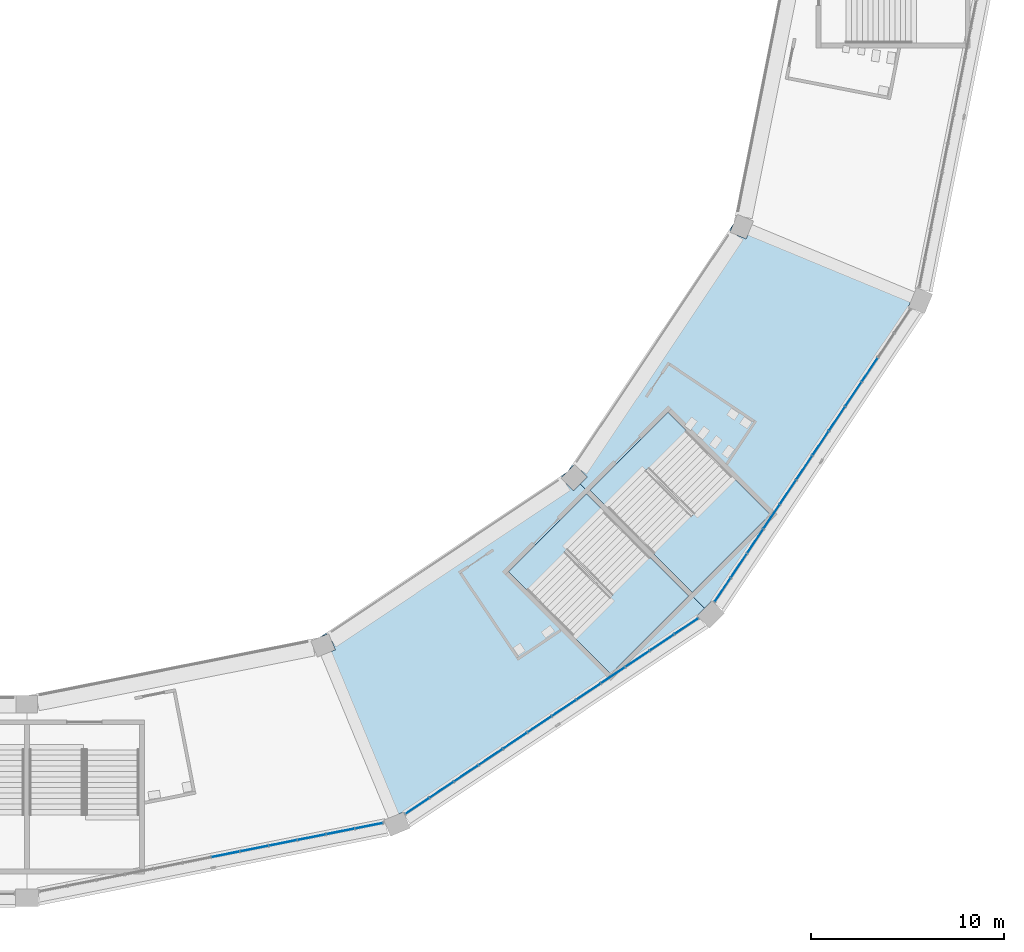
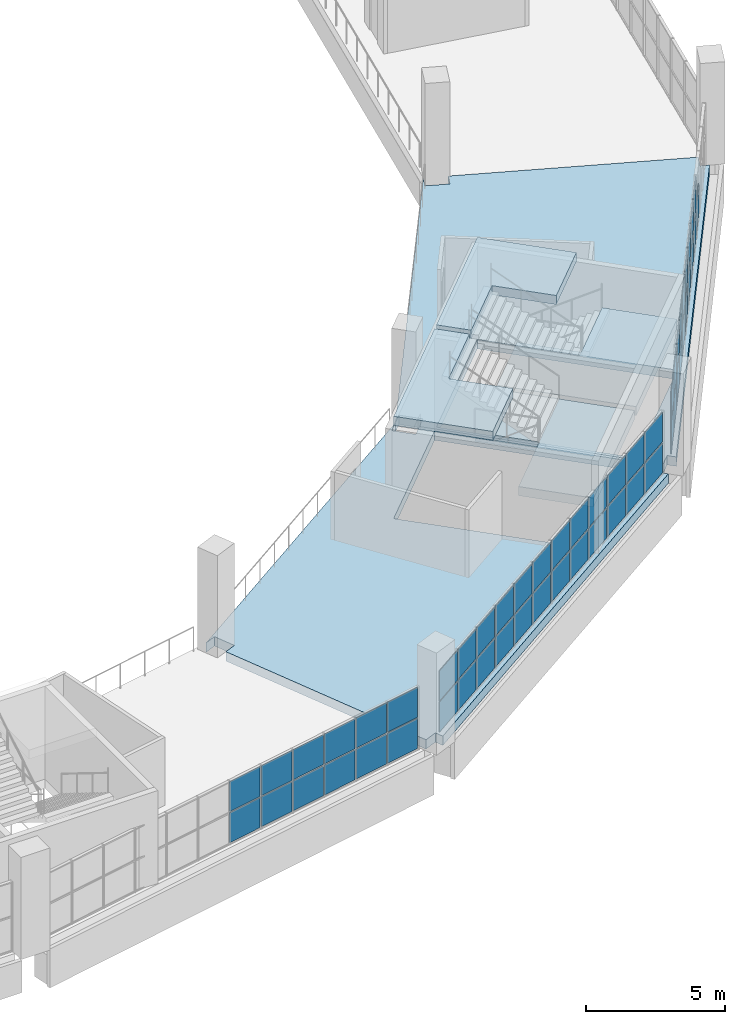
# One storey, part 49 of 177: 55 plates, 6 slabs, 5 elements without a shape of their own.
"""IFC4 building model written with IfcOpenShell, lengths in metres."""

from ifc_helpers import new_model, si_unit, direction, frame, origin, origin_2d, place, context, subcontext, project, spatial, polyline, rectangle, outline, extrude, material, layer, layer_set, type_object, element, aggregate, save


model = new_model("IFC4")

# Units and contexts
model_context = context("Model", 3, precision=1e-05, world=origin(), true_north=direction((0.0, 1.0)))
body_context = subcontext(model_context, "Body", "Model", "MODEL_VIEW")
ifc_project = project(units=[si_unit("LENGTHUNIT", "METRE"), si_unit("AREAUNIT", "SQUARE_METRE"), si_unit("VOLUMEUNIT", "CUBIC_METRE"), si_unit("PLANEANGLEUNIT", "RADIAN"), si_unit("MASSUNIT", "GRAM", prefix="KILO")], contexts=[model_context])

# Site, building, storey
site_placement = place(None, origin())
site = spatial("IfcSite", under=ifc_project, at=site_placement, CompositionType="ELEMENT")
building_placement = place(site_placement, origin())
building = spatial("IfcBuilding", under=site, at=building_placement, Name="Ogive Plaza Stadium", CompositionType="ELEMENT")
storey_placement = place(building_placement, frame((0.0, 0.0, 18.0)))
storey = spatial("IfcBuildingStorey", under=building, at=storey_placement, Name="L04", CompositionType="ELEMENT", Elevation=18.0)

# Curtain wall, plates
ifc_material_1 = material(Name="Bronze-anodised aluminium with laminated glass", Category="aluminium")
curtain_wall_type = type_object("IfcCurtainWallType", Name="Lancet curtain wall", PredefinedType="NOTDEFINED", material=ifc_material_1)
curtain_wall_1_placement = place(storey_placement, origin())
curtain_wall_1 = element("IfcCurtainWall", 1, at=curtain_wall_1_placement, inside=storey, type_object=curtain_wall_type, Name="CURTAIN WALL B09 L04", PredefinedType="NOTDEFINED")
ifc_material_2 = material(Name="Laminated glass", Category="glass")
ifc_layer_1 = layer(ifc_material_2, 0.028076171875)
ifc_layer_set_1 = layer_set([ifc_layer_1], Name="Laminated glass panel 28")
plate_type = type_object("IfcPlateType", Name="Laminated glass panel 28", PredefinedType="CURTAIN_PANEL", material=ifc_layer_set_1)
plate_1_placement = place(storey_placement, frame((77.568603515625, -75.203369140625, 0.0498046875), z_axis=(0.0, 0.0, 1.0), x_axis=(-0.55557023302, -0.831469612303, 0.0)))
plate_1 = element("IfcPlate", 2, at=plate_1_placement, type_object=plate_type, Name="CW-B09-L04 panel 3.1", PredefinedType="CURTAIN_PANEL", context=body_context, shape_type="SweptSolid", body=[
    extrude(rectangle(XDim=1.472412109375, YDim=0.028076171875, at=origin_2d()), origin(), (0.0, 0.0, 1.0), 1.320068359375),
])
plate_2_placement = place(storey_placement, frame((76.722900390625, -76.46923828125, 0.0498046875), z_axis=(0.0, 0.0, 1.0), x_axis=(-0.55557023302, -0.831469612303, 0.0)))
plate_2 = element("IfcPlate", 3, at=plate_2_placement, type_object=plate_type, Name="CW-B09-L04 panel 4.1", PredefinedType="CURTAIN_PANEL", context=body_context, shape_type="SweptSolid", body=[
    extrude(rectangle(XDim=1.472412109375, YDim=0.028076171875, at=origin_2d()), origin(), (0.0, 0.0, 1.0), 1.320068359375),
])
plate_3_placement = place(storey_placement, frame((76.722900390625, -76.46923828125, 1.419921875), z_axis=(0.0, 0.0, 1.0), x_axis=(-0.55557023302, -0.831469612303, 0.0)))
plate_3 = element("IfcPlate", 4, at=plate_3_placement, type_object=plate_type, Name="CW-B09-L04 panel 4.2", PredefinedType="CURTAIN_PANEL", context=body_context, shape_type="SweptSolid", body=[
    extrude(rectangle(XDim=1.472412109375, YDim=0.028076171875, at=origin_2d()), origin(), (0.0, 0.0, 1.0), 1.320068359375),
])
plate_4_placement = place(storey_placement, frame((75.876953125, -77.73486328125, 0.0498046875), z_axis=(0.0, 0.0, 1.0), x_axis=(-0.55557023302, -0.831469612303, 0.0)))
plate_4 = element("IfcPlate", 5, at=plate_4_placement, type_object=plate_type, Name="CW-B09-L04 panel 5.1", PredefinedType="CURTAIN_PANEL", context=body_context, shape_type="SweptSolid", body=[
    extrude(rectangle(XDim=1.472412109375, YDim=0.028076171875, at=origin_2d()), origin(), (0.0, 0.0, 1.0), 1.320068359375),
])
plate_5_placement = place(storey_placement, frame((75.876953125, -77.73486328125, 1.419921875), z_axis=(0.0, 0.0, 1.0), x_axis=(-0.55557023302, -0.831469612303, 0.0)))
plate_5 = element("IfcPlate", 6, at=plate_5_placement, type_object=plate_type, Name="CW-B09-L04 panel 5.2", PredefinedType="CURTAIN_PANEL", context=body_context, shape_type="SweptSolid", body=[
    extrude(rectangle(XDim=1.472412109375, YDim=0.028076171875, at=origin_2d()), origin(), (0.0, 0.0, 1.0), 1.320068359375),
])
plate_6_placement = place(storey_placement, frame((75.03125, -79.000732421875, 0.0498046875), z_axis=(0.0, 0.0, 1.0), x_axis=(-0.55557023302, -0.831469612303, 0.0)))
plate_6 = element("IfcPlate", 7, at=plate_6_placement, type_object=plate_type, Name="CW-B09-L04 panel 6.1", PredefinedType="CURTAIN_PANEL", context=body_context, shape_type="SweptSolid", body=[
    extrude(rectangle(XDim=1.472412109375, YDim=0.028076171875, at=origin_2d()), origin(), (0.0, 0.0, 1.0), 1.320068359375),
])
plate_7_placement = place(storey_placement, frame((75.03125, -79.000732421875, 1.419921875), z_axis=(0.0, 0.0, 1.0), x_axis=(-0.55557023302, -0.831469612303, 0.0)))
plate_7 = element("IfcPlate", 8, at=plate_7_placement, type_object=plate_type, Name="CW-B09-L04 panel 6.2", PredefinedType="CURTAIN_PANEL", context=body_context, shape_type="SweptSolid", body=[
    extrude(rectangle(XDim=1.472412109375, YDim=0.028076171875, at=origin_2d()), origin(), (0.0, 0.0, 1.0), 1.320068359375),
])
plate_8_placement = place(storey_placement, frame((74.185546875, -80.2666015625, 0.0498046875), z_axis=(0.0, 0.0, 1.0), x_axis=(-0.55557023302, -0.831469612303, 0.0)))
plate_8 = element("IfcPlate", 9, at=plate_8_placement, type_object=plate_type, Name="CW-B09-L04 panel 7.1", PredefinedType="CURTAIN_PANEL", context=body_context, shape_type="SweptSolid", body=[
    extrude(rectangle(XDim=1.472412109375, YDim=0.028076171875, at=origin_2d()), origin(), (0.0, 0.0, 1.0), 1.320068359375),
])
plate_9_placement = place(storey_placement, frame((74.185546875, -80.2666015625, 1.419921875), z_axis=(0.0, 0.0, 1.0), x_axis=(-0.55557023302, -0.831469612303, 0.0)))
plate_9 = element("IfcPlate", 10, at=plate_9_placement, type_object=plate_type, Name="CW-B09-L04 panel 7.2", PredefinedType="CURTAIN_PANEL", context=body_context, shape_type="SweptSolid", body=[
    extrude(rectangle(XDim=1.472412109375, YDim=0.028076171875, at=origin_2d()), origin(), (0.0, 0.0, 1.0), 1.320068359375),
])
plate_10_placement = place(storey_placement, frame((73.339599609375, -81.5322265625, 0.0498046875), z_axis=(0.0, 0.0, 1.0), x_axis=(-0.55557023302, -0.831469612303, 0.0)))
plate_10 = element("IfcPlate", 11, at=plate_10_placement, type_object=plate_type, Name="CW-B09-L04 panel 8.1", PredefinedType="CURTAIN_PANEL", context=body_context, shape_type="SweptSolid", body=[
    extrude(rectangle(XDim=1.472412109375, YDim=0.028076171875, at=origin_2d()), origin(), (0.0, 0.0, 1.0), 1.320068359375),
])
plate_11_placement = place(storey_placement, frame((73.339599609375, -81.5322265625, 1.419921875), z_axis=(0.0, 0.0, 1.0), x_axis=(-0.55557023302, -0.831469612303, 0.0)))
plate_11 = element("IfcPlate", 12, at=plate_11_placement, type_object=plate_type, Name="CW-B09-L04 panel 8.2", PredefinedType="CURTAIN_PANEL", context=body_context, shape_type="SweptSolid", body=[
    extrude(rectangle(XDim=1.472412109375, YDim=0.028076171875, at=origin_2d()), origin(), (0.0, 0.0, 1.0), 1.320068359375),
])
plate_12_placement = place(storey_placement, frame((72.493896484375, -82.798095703125, 0.0498046875), z_axis=(0.0, 0.0, 1.0), x_axis=(-0.55557023302, -0.831469612303, 0.0)))
plate_12 = element("IfcPlate", 13, at=plate_12_placement, type_object=plate_type, Name="CW-B09-L04 panel 9.1", PredefinedType="CURTAIN_PANEL", context=body_context, shape_type="SweptSolid", body=[
    extrude(rectangle(XDim=1.472412109375, YDim=0.028076171875, at=origin_2d()), origin(), (0.0, 0.0, 1.0), 1.320068359375),
])
plate_13_placement = place(storey_placement, frame((72.493896484375, -82.798095703125, 1.419921875), z_axis=(0.0, 0.0, 1.0), x_axis=(-0.55557023302, -0.831469612303, 0.0)))
plate_13 = element("IfcPlate", 14, at=plate_13_placement, type_object=plate_type, Name="CW-B09-L04 panel 9.2", PredefinedType="CURTAIN_PANEL", context=body_context, shape_type="SweptSolid", body=[
    extrude(rectangle(XDim=1.472412109375, YDim=0.028076171875, at=origin_2d()), origin(), (0.0, 0.0, 1.0), 1.320068359375),
])
plate_14_placement = place(storey_placement, frame((71.648193359375, -84.06396484375, 0.0498046875), z_axis=(0.0, 0.0, 1.0), x_axis=(-0.55557023302, -0.831469612303, 0.0)))
plate_14 = element("IfcPlate", 15, at=plate_14_placement, type_object=plate_type, Name="CW-B09-L04 panel 10.1", PredefinedType="CURTAIN_PANEL", context=body_context, shape_type="SweptSolid", body=[
    extrude(rectangle(XDim=1.472412109375, YDim=0.028076171875, at=origin_2d()), origin(), (0.0, 0.0, 1.0), 1.320068359375),
])
plate_15_placement = place(storey_placement, frame((71.648193359375, -84.06396484375, 1.419921875), z_axis=(0.0, 0.0, 1.0), x_axis=(-0.55557023302, -0.831469612303, 0.0)))
plate_15 = element("IfcPlate", 16, at=plate_15_placement, type_object=plate_type, Name="CW-B09-L04 panel 10.2", PredefinedType="CURTAIN_PANEL", context=body_context, shape_type="SweptSolid", body=[
    extrude(rectangle(XDim=1.472412109375, YDim=0.028076171875, at=origin_2d()), origin(), (0.0, 0.0, 1.0), 1.320068359375),
])
plate_16_placement = place(storey_placement, frame((70.802490234375, -85.32958984375, 0.0498046875), z_axis=(0.0, 0.0, 1.0), x_axis=(-0.55557023302, -0.831469612303, 0.0)))
plate_16 = element("IfcPlate", 17, at=plate_16_placement, type_object=plate_type, Name="CW-B09-L04 panel 11.1", PredefinedType="CURTAIN_PANEL", context=body_context, shape_type="SweptSolid", body=[
    extrude(rectangle(XDim=1.472412109375, YDim=0.028076171875, at=origin_2d()), origin(), (0.0, 0.0, 1.0), 1.320068359375),
])
plate_17_placement = place(storey_placement, frame((70.802490234375, -85.32958984375, 1.419921875), z_axis=(0.0, 0.0, 1.0), x_axis=(-0.55557023302, -0.831469612303, 0.0)))
plate_17 = element("IfcPlate", 18, at=plate_17_placement, type_object=plate_type, Name="CW-B09-L04 panel 11.2", PredefinedType="CURTAIN_PANEL", context=body_context, shape_type="SweptSolid", body=[
    extrude(rectangle(XDim=1.472412109375, YDim=0.028076171875, at=origin_2d()), origin(), (0.0, 0.0, 1.0), 1.320068359375),
])
plate_18_placement = place(storey_placement, frame((69.963623046875, -86.5849609375, 0.0498046875), z_axis=(0.0, 0.0, 1.0), x_axis=(-0.55557023302, -0.831469612303, 0.0)))
plate_18 = element("IfcPlate", 19, at=plate_18_placement, type_object=plate_type, Name="CW-B09-L04 panel 12.1", PredefinedType="CURTAIN_PANEL", context=body_context, shape_type="SweptSolid", body=[
    extrude(rectangle(XDim=1.447265625, YDim=0.028076171875, at=origin_2d()), origin(), (0.0, 0.0, 1.0), 1.320068359375),
])
plate_19_placement = place(storey_placement, frame((69.963623046875, -86.5849609375, 1.419921875), z_axis=(0.0, 0.0, 1.0), x_axis=(-0.55557023302, -0.831469612303, 0.0)))
plate_19 = element("IfcPlate", 20, at=plate_19_placement, type_object=plate_type, Name="CW-B09-L04 panel 12.2", PredefinedType="CURTAIN_PANEL", context=body_context, shape_type="SweptSolid", body=[
    extrude(rectangle(XDim=1.447265625, YDim=0.028076171875, at=origin_2d()), origin(), (0.0, 0.0, 1.0), 1.320068359375),
])
aggregate(curtain_wall_1, [plate_1, plate_2, plate_3, plate_4, plate_5, plate_6, plate_7, plate_8, plate_9, plate_10, plate_11, plate_12, plate_13, plate_14, plate_15, plate_16, plate_17, plate_18, plate_19])

curtain_wall_2_placement = place(storey_placement, origin())
curtain_wall_2 = element("IfcCurtainWall", 21, at=curtain_wall_2_placement, inside=storey, type_object=curtain_wall_type, Name="CURTAIN WALL B10 L04", PredefinedType="NOTDEFINED")
plate_20_placement = place(storey_placement, frame((68.0849609375, -88.463623046875, 0.0498046875), z_axis=(0.0, 0.0, 1.0), x_axis=(-0.831469612303, -0.55557023302, 0.0)))
plate_20 = element("IfcPlate", 22, at=plate_20_placement, type_object=plate_type, Name="CW-B10-L04 panel 1.1", PredefinedType="CURTAIN_PANEL", context=body_context, shape_type="SweptSolid", body=[
    extrude(rectangle(XDim=1.447265625, YDim=0.028076171875, at=origin_2d()), origin(), (0.0, 0.0, 1.0), 1.320068359375),
])
plate_21_placement = place(storey_placement, frame((68.0849609375, -88.463623046875, 1.419921875), z_axis=(0.0, 0.0, 1.0), x_axis=(-0.831469612303, -0.55557023302, 0.0)))
plate_21 = element("IfcPlate", 23, at=plate_21_placement, type_object=plate_type, Name="CW-B10-L04 panel 1.2", PredefinedType="CURTAIN_PANEL", context=body_context, shape_type="SweptSolid", body=[
    extrude(rectangle(XDim=1.447265625, YDim=0.028076171875, at=origin_2d()), origin(), (0.0, 0.0, 1.0), 1.320068359375),
])
plate_22_placement = place(storey_placement, frame((66.82958984375, -89.302490234375, 0.0498046875), z_axis=(0.0, 0.0, 1.0), x_axis=(-0.831469612303, -0.55557023302, 0.0)))
plate_22 = element("IfcPlate", 24, at=plate_22_placement, type_object=plate_type, Name="CW-B10-L04 panel 2.1", PredefinedType="CURTAIN_PANEL", context=body_context, shape_type="SweptSolid", body=[
    extrude(rectangle(XDim=1.472412109375, YDim=0.028076171875, at=origin_2d()), origin(), (0.0, 0.0, 1.0), 1.320068359375),
])
plate_23_placement = place(storey_placement, frame((66.82958984375, -89.302490234375, 1.419921875), z_axis=(0.0, 0.0, 1.0), x_axis=(-0.831469612303, -0.55557023302, 0.0)))
plate_23 = element("IfcPlate", 25, at=plate_23_placement, type_object=plate_type, Name="CW-B10-L04 panel 2.2", PredefinedType="CURTAIN_PANEL", context=body_context, shape_type="SweptSolid", body=[
    extrude(rectangle(XDim=1.472412109375, YDim=0.028076171875, at=origin_2d()), origin(), (0.0, 0.0, 1.0), 1.320068359375),
])
plate_24_placement = place(storey_placement, frame((65.56396484375, -90.148193359375, 0.0498046875), z_axis=(0.0, 0.0, 1.0), x_axis=(-0.831469612303, -0.55557023302, 0.0)))
plate_24 = element("IfcPlate", 26, at=plate_24_placement, type_object=plate_type, Name="CW-B10-L04 panel 3.1", PredefinedType="CURTAIN_PANEL", context=body_context, shape_type="SweptSolid", body=[
    extrude(rectangle(XDim=1.472412109375, YDim=0.028076171875, at=origin_2d()), origin(), (0.0, 0.0, 1.0), 1.320068359375),
])
plate_25_placement = place(storey_placement, frame((65.56396484375, -90.148193359375, 1.419921875), z_axis=(0.0, 0.0, 1.0), x_axis=(-0.831469612303, -0.55557023302, 0.0)))
plate_25 = element("IfcPlate", 27, at=plate_25_placement, type_object=plate_type, Name="CW-B10-L04 panel 3.2", PredefinedType="CURTAIN_PANEL", context=body_context, shape_type="SweptSolid", body=[
    extrude(rectangle(XDim=1.472412109375, YDim=0.028076171875, at=origin_2d()), origin(), (0.0, 0.0, 1.0), 1.320068359375),
])
plate_26_placement = place(storey_placement, frame((64.298095703125, -90.993896484375, 0.0498046875), z_axis=(0.0, 0.0, 1.0), x_axis=(-0.831469612303, -0.55557023302, 0.0)))
plate_26 = element("IfcPlate", 28, at=plate_26_placement, type_object=plate_type, Name="CW-B10-L04 panel 4.1", PredefinedType="CURTAIN_PANEL", context=body_context, shape_type="SweptSolid", body=[
    extrude(rectangle(XDim=1.472412109375, YDim=0.028076171875, at=origin_2d()), origin(), (0.0, 0.0, 1.0), 1.320068359375),
])
plate_27_placement = place(storey_placement, frame((64.298095703125, -90.993896484375, 1.419921875), z_axis=(0.0, 0.0, 1.0), x_axis=(-0.831469612303, -0.55557023302, 0.0)))
plate_27 = element("IfcPlate", 29, at=plate_27_placement, type_object=plate_type, Name="CW-B10-L04 panel 4.2", PredefinedType="CURTAIN_PANEL", context=body_context, shape_type="SweptSolid", body=[
    extrude(rectangle(XDim=1.472412109375, YDim=0.028076171875, at=origin_2d()), origin(), (0.0, 0.0, 1.0), 1.320068359375),
])
plate_28_placement = place(storey_placement, frame((63.0322265625, -91.839599609375, 0.0498046875), z_axis=(0.0, 0.0, 1.0), x_axis=(-0.831469612303, -0.55557023302, 0.0)))
plate_28 = element("IfcPlate", 30, at=plate_28_placement, type_object=plate_type, Name="CW-B10-L04 panel 5.1", PredefinedType="CURTAIN_PANEL", context=body_context, shape_type="SweptSolid", body=[
    extrude(rectangle(XDim=1.472412109375, YDim=0.028076171875, at=origin_2d()), origin(), (0.0, 0.0, 1.0), 1.320068359375),
])
plate_29_placement = place(storey_placement, frame((63.0322265625, -91.839599609375, 1.419921875), z_axis=(0.0, 0.0, 1.0), x_axis=(-0.831469612303, -0.55557023302, 0.0)))
plate_29 = element("IfcPlate", 31, at=plate_29_placement, type_object=plate_type, Name="CW-B10-L04 panel 5.2", PredefinedType="CURTAIN_PANEL", context=body_context, shape_type="SweptSolid", body=[
    extrude(rectangle(XDim=1.472412109375, YDim=0.028076171875, at=origin_2d()), origin(), (0.0, 0.0, 1.0), 1.320068359375),
])
plate_30_placement = place(storey_placement, frame((61.7666015625, -92.685546875, 0.0498046875), z_axis=(0.0, 0.0, 1.0), x_axis=(-0.831469612303, -0.55557023302, 0.0)))
plate_30 = element("IfcPlate", 32, at=plate_30_placement, type_object=plate_type, Name="CW-B10-L04 panel 6.1", PredefinedType="CURTAIN_PANEL", context=body_context, shape_type="SweptSolid", body=[
    extrude(rectangle(XDim=1.472412109375, YDim=0.028076171875, at=origin_2d()), origin(), (0.0, 0.0, 1.0), 1.320068359375),
])
plate_31_placement = place(storey_placement, frame((61.7666015625, -92.685546875, 1.419921875), z_axis=(0.0, 0.0, 1.0), x_axis=(-0.831469612303, -0.55557023302, 0.0)))
plate_31 = element("IfcPlate", 33, at=plate_31_placement, type_object=plate_type, Name="CW-B10-L04 panel 6.2", PredefinedType="CURTAIN_PANEL", context=body_context, shape_type="SweptSolid", body=[
    extrude(rectangle(XDim=1.472412109375, YDim=0.028076171875, at=origin_2d()), origin(), (0.0, 0.0, 1.0), 1.320068359375),
])
plate_32_placement = place(storey_placement, frame((60.500732421875, -93.53125, 0.0498046875), z_axis=(0.0, 0.0, 1.0), x_axis=(-0.831469612303, -0.55557023302, 0.0)))
plate_32 = element("IfcPlate", 34, at=plate_32_placement, type_object=plate_type, Name="CW-B10-L04 panel 7.1", PredefinedType="CURTAIN_PANEL", context=body_context, shape_type="SweptSolid", body=[
    extrude(rectangle(XDim=1.472412109375, YDim=0.028076171875, at=origin_2d()), origin(), (0.0, 0.0, 1.0), 1.320068359375),
])
plate_33_placement = place(storey_placement, frame((60.500732421875, -93.53125, 1.419921875), z_axis=(0.0, 0.0, 1.0), x_axis=(-0.831469612303, -0.55557023302, 0.0)))
plate_33 = element("IfcPlate", 35, at=plate_33_placement, type_object=plate_type, Name="CW-B10-L04 panel 7.2", PredefinedType="CURTAIN_PANEL", context=body_context, shape_type="SweptSolid", body=[
    extrude(rectangle(XDim=1.472412109375, YDim=0.028076171875, at=origin_2d()), origin(), (0.0, 0.0, 1.0), 1.320068359375),
])
plate_34_placement = place(storey_placement, frame((59.23486328125, -94.376953125, 0.0498046875), z_axis=(0.0, 0.0, 1.0), x_axis=(-0.831469612303, -0.55557023302, 0.0)))
plate_34 = element("IfcPlate", 36, at=plate_34_placement, type_object=plate_type, Name="CW-B10-L04 panel 8.1", PredefinedType="CURTAIN_PANEL", context=body_context, shape_type="SweptSolid", body=[
    extrude(rectangle(XDim=1.472412109375, YDim=0.028076171875, at=origin_2d()), origin(), (0.0, 0.0, 1.0), 1.320068359375),
])
plate_35_placement = place(storey_placement, frame((59.23486328125, -94.376953125, 1.419921875), z_axis=(0.0, 0.0, 1.0), x_axis=(-0.831469612303, -0.55557023302, 0.0)))
plate_35 = element("IfcPlate", 37, at=plate_35_placement, type_object=plate_type, Name="CW-B10-L04 panel 8.2", PredefinedType="CURTAIN_PANEL", context=body_context, shape_type="SweptSolid", body=[
    extrude(rectangle(XDim=1.472412109375, YDim=0.028076171875, at=origin_2d()), origin(), (0.0, 0.0, 1.0), 1.320068359375),
])
plate_36_placement = place(storey_placement, frame((57.96923828125, -95.222900390625, 0.0498046875), z_axis=(0.0, 0.0, 1.0), x_axis=(-0.831469612303, -0.55557023302, 0.0)))
plate_36 = element("IfcPlate", 38, at=plate_36_placement, type_object=plate_type, Name="CW-B10-L04 panel 9.1", PredefinedType="CURTAIN_PANEL", context=body_context, shape_type="SweptSolid", body=[
    extrude(rectangle(XDim=1.472412109375, YDim=0.028076171875, at=origin_2d()), origin(), (0.0, 0.0, 1.0), 1.320068359375),
])
plate_37_placement = place(storey_placement, frame((57.96923828125, -95.222900390625, 1.419921875), z_axis=(0.0, 0.0, 1.0), x_axis=(-0.831469612303, -0.55557023302, 0.0)))
plate_37 = element("IfcPlate", 39, at=plate_37_placement, type_object=plate_type, Name="CW-B10-L04 panel 9.2", PredefinedType="CURTAIN_PANEL", context=body_context, shape_type="SweptSolid", body=[
    extrude(rectangle(XDim=1.472412109375, YDim=0.028076171875, at=origin_2d()), origin(), (0.0, 0.0, 1.0), 1.320068359375),
])
plate_38_placement = place(storey_placement, frame((56.703369140625, -96.068603515625, 0.0498046875), z_axis=(0.0, 0.0, 1.0), x_axis=(-0.831469612303, -0.55557023302, 0.0)))
plate_38 = element("IfcPlate", 40, at=plate_38_placement, type_object=plate_type, Name="CW-B10-L04 panel 10.1", PredefinedType="CURTAIN_PANEL", context=body_context, shape_type="SweptSolid", body=[
    extrude(rectangle(XDim=1.472412109375, YDim=0.028076171875, at=origin_2d()), origin(), (0.0, 0.0, 1.0), 1.320068359375),
])
plate_39_placement = place(storey_placement, frame((56.703369140625, -96.068603515625, 1.419921875), z_axis=(0.0, 0.0, 1.0), x_axis=(-0.831469612303, -0.55557023302, 0.0)))
plate_39 = element("IfcPlate", 41, at=plate_39_placement, type_object=plate_type, Name="CW-B10-L04 panel 10.2", PredefinedType="CURTAIN_PANEL", context=body_context, shape_type="SweptSolid", body=[
    extrude(rectangle(XDim=1.472412109375, YDim=0.028076171875, at=origin_2d()), origin(), (0.0, 0.0, 1.0), 1.320068359375),
])
plate_40_placement = place(storey_placement, frame((55.4375, -96.914306640625, 0.0498046875), z_axis=(0.0, 0.0, 1.0), x_axis=(-0.831469612303, -0.55557023302, 0.0)))
plate_40 = element("IfcPlate", 42, at=plate_40_placement, type_object=plate_type, Name="CW-B10-L04 panel 11.1", PredefinedType="CURTAIN_PANEL", context=body_context, shape_type="SweptSolid", body=[
    extrude(rectangle(XDim=1.472412109375, YDim=0.028076171875, at=origin_2d()), origin(), (0.0, 0.0, 1.0), 1.320068359375),
])
plate_41_placement = place(storey_placement, frame((55.4375, -96.914306640625, 1.419921875), z_axis=(0.0, 0.0, 1.0), x_axis=(-0.831469612303, -0.55557023302, 0.0)))
plate_41 = element("IfcPlate", 43, at=plate_41_placement, type_object=plate_type, Name="CW-B10-L04 panel 11.2", PredefinedType="CURTAIN_PANEL", context=body_context, shape_type="SweptSolid", body=[
    extrude(rectangle(XDim=1.472412109375, YDim=0.028076171875, at=origin_2d()), origin(), (0.0, 0.0, 1.0), 1.320068359375),
])
plate_42_placement = place(storey_placement, frame((54.18212890625, -97.753173828125, 0.0498046875), z_axis=(0.0, 0.0, 1.0), x_axis=(-0.831469612303, -0.55557023302, 0.0)))
plate_42 = element("IfcPlate", 44, at=plate_42_placement, type_object=plate_type, Name="CW-B10-L04 panel 12.1", PredefinedType="CURTAIN_PANEL", context=body_context, shape_type="SweptSolid", body=[
    extrude(rectangle(XDim=1.447265625, YDim=0.028076171875, at=origin_2d()), origin(), (0.0, 0.0, 1.0), 1.320068359375),
])
plate_43_placement = place(storey_placement, frame((54.18212890625, -97.753173828125, 1.419921875), z_axis=(0.0, 0.0, 1.0), x_axis=(-0.831469612303, -0.55557023302, 0.0)))
plate_43 = element("IfcPlate", 45, at=plate_43_placement, type_object=plate_type, Name="CW-B10-L04 panel 12.2", PredefinedType="CURTAIN_PANEL", context=body_context, shape_type="SweptSolid", body=[
    extrude(rectangle(XDim=1.447265625, YDim=0.028076171875, at=origin_2d()), origin(), (0.0, 0.0, 1.0), 1.320068359375),
])
aggregate(curtain_wall_2, [plate_20, plate_21, plate_22, plate_23, plate_24, plate_25, plate_26, plate_27, plate_28, plate_29, plate_30, plate_31, plate_32, plate_33, plate_34, plate_35, plate_36, plate_37, plate_38, plate_39, plate_40, plate_41, plate_42, plate_43])

curtain_wall_3_placement = place(storey_placement, origin())
curtain_wall_3 = element("IfcCurtainWall", 46, at=curtain_wall_3_placement, inside=storey, type_object=curtain_wall_type, Name="CURTAIN WALL B11 L04", PredefinedType="NOTDEFINED")
plate_44_placement = place(storey_placement, frame((51.681884765625, -98.77880859375, 0.0498046875), z_axis=(0.0, 0.0, 1.0), x_axis=(-0.980785280403, -0.195090322016, 0.0)))
plate_44 = element("IfcPlate", 47, at=plate_44_placement, type_object=plate_type, Name="CW-B11-L04 panel 1.1", PredefinedType="CURTAIN_PANEL", context=body_context, shape_type="SweptSolid", body=[
    extrude(rectangle(XDim=1.43896484375, YDim=0.028076171875, at=origin_2d()), origin(), (0.0, 0.0, 1.0), 1.320068359375),
])
plate_45_placement = place(storey_placement, frame((51.681884765625, -98.77880859375, 1.419921875), z_axis=(0.0, 0.0, 1.0), x_axis=(-0.980785280403, -0.195090322016, 0.0)))
plate_45 = element("IfcPlate", 48, at=plate_45_placement, type_object=plate_type, Name="CW-B11-L04 panel 1.2", PredefinedType="CURTAIN_PANEL", context=body_context, shape_type="SweptSolid", body=[
    extrude(rectangle(XDim=1.43896484375, YDim=0.028076171875, at=origin_2d()), origin(), (0.0, 0.0, 1.0), 1.320068359375),
])
plate_46_placement = place(storey_placement, frame((50.20947265625, -99.07177734375, 0.0498046875), z_axis=(0.0, 0.0, 1.0), x_axis=(-0.980785280403, -0.195090322016, 0.0)))
plate_46 = element("IfcPlate", 49, at=plate_46_placement, type_object=plate_type, Name="CW-B11-L04 panel 2.1", PredefinedType="CURTAIN_PANEL", context=body_context, shape_type="SweptSolid", body=[
    extrude(rectangle(XDim=1.4638671875, YDim=0.028076171875, at=origin_2d()), origin(), (0.0, 0.0, 1.0), 1.320068359375),
])
plate_47_placement = place(storey_placement, frame((50.20947265625, -99.07177734375, 1.419921875), z_axis=(0.0, 0.0, 1.0), x_axis=(-0.980785280403, -0.195090322016, 0.0)))
plate_47 = element("IfcPlate", 50, at=plate_47_placement, type_object=plate_type, Name="CW-B11-L04 panel 2.2", PredefinedType="CURTAIN_PANEL", context=body_context, shape_type="SweptSolid", body=[
    extrude(rectangle(XDim=1.4638671875, YDim=0.028076171875, at=origin_2d()), origin(), (0.0, 0.0, 1.0), 1.320068359375),
])
plate_48_placement = place(storey_placement, frame((48.724609375, -99.3671875, 0.0498046875), z_axis=(0.0, 0.0, 1.0), x_axis=(-0.980785280403, -0.195090322016, 0.0)))
plate_48 = element("IfcPlate", 51, at=plate_48_placement, type_object=plate_type, Name="CW-B11-L04 panel 3.1", PredefinedType="CURTAIN_PANEL", context=body_context, shape_type="SweptSolid", body=[
    extrude(rectangle(XDim=1.4638671875, YDim=0.028076171875, at=origin_2d()), origin(), (0.0, 0.0, 1.0), 1.320068359375),
])
plate_49_placement = place(storey_placement, frame((48.724609375, -99.3671875, 1.419921875), z_axis=(0.0, 0.0, 1.0), x_axis=(-0.980785280403, -0.195090322016, 0.0)))
plate_49 = element("IfcPlate", 52, at=plate_49_placement, type_object=plate_type, Name="CW-B11-L04 panel 3.2", PredefinedType="CURTAIN_PANEL", context=body_context, shape_type="SweptSolid", body=[
    extrude(rectangle(XDim=1.4638671875, YDim=0.028076171875, at=origin_2d()), origin(), (0.0, 0.0, 1.0), 1.320068359375),
])
plate_50_placement = place(storey_placement, frame((47.239990234375, -99.66259765625, 0.0498046875), z_axis=(0.0, 0.0, 1.0), x_axis=(-0.980785280403, -0.195090322016, 0.0)))
plate_50 = element("IfcPlate", 53, at=plate_50_placement, type_object=plate_type, Name="CW-B11-L04 panel 4.1", PredefinedType="CURTAIN_PANEL", context=body_context, shape_type="SweptSolid", body=[
    extrude(rectangle(XDim=1.4638671875, YDim=0.028076171875, at=origin_2d()), origin(), (0.0, 0.0, 1.0), 1.320068359375),
])
plate_51_placement = place(storey_placement, frame((47.239990234375, -99.66259765625, 1.419921875), z_axis=(0.0, 0.0, 1.0), x_axis=(-0.980785280403, -0.195090322016, 0.0)))
plate_51 = element("IfcPlate", 54, at=plate_51_placement, type_object=plate_type, Name="CW-B11-L04 panel 4.2", PredefinedType="CURTAIN_PANEL", context=body_context, shape_type="SweptSolid", body=[
    extrude(rectangle(XDim=1.4638671875, YDim=0.028076171875, at=origin_2d()), origin(), (0.0, 0.0, 1.0), 1.320068359375),
])
plate_52_placement = place(storey_placement, frame((45.755126953125, -99.957763671875, 0.0498046875), z_axis=(0.0, 0.0, 1.0), x_axis=(-0.980785280403, -0.195090322016, 0.0)))
plate_52 = element("IfcPlate", 55, at=plate_52_placement, type_object=plate_type, Name="CW-B11-L04 panel 5.1", PredefinedType="CURTAIN_PANEL", context=body_context, shape_type="SweptSolid", body=[
    extrude(rectangle(XDim=1.4638671875, YDim=0.028076171875, at=origin_2d()), origin(), (0.0, 0.0, 1.0), 1.320068359375),
])
plate_53_placement = place(storey_placement, frame((45.755126953125, -99.957763671875, 1.419921875), z_axis=(0.0, 0.0, 1.0), x_axis=(-0.980785280403, -0.195090322016, 0.0)))
plate_53 = element("IfcPlate", 56, at=plate_53_placement, type_object=plate_type, Name="CW-B11-L04 panel 5.2", PredefinedType="CURTAIN_PANEL", context=body_context, shape_type="SweptSolid", body=[
    extrude(rectangle(XDim=1.4638671875, YDim=0.028076171875, at=origin_2d()), origin(), (0.0, 0.0, 1.0), 1.320068359375),
])
plate_54_placement = place(storey_placement, frame((44.2705078125, -100.253173828125, 0.0498046875), z_axis=(0.0, 0.0, 1.0), x_axis=(-0.980785280403, -0.195090322016, 0.0)))
plate_54 = element("IfcPlate", 57, at=plate_54_placement, type_object=plate_type, Name="CW-B11-L04 panel 6.1", PredefinedType="CURTAIN_PANEL", context=body_context, shape_type="SweptSolid", body=[
    extrude(rectangle(XDim=1.4638671875, YDim=0.028076171875, at=origin_2d()), origin(), (0.0, 0.0, 1.0), 1.320068359375),
])
plate_55_placement = place(storey_placement, frame((44.2705078125, -100.253173828125, 1.419921875), z_axis=(0.0, 0.0, 1.0), x_axis=(-0.980785280403, -0.195090322016, 0.0)))
plate_55 = element("IfcPlate", 58, at=plate_55_placement, type_object=plate_type, Name="CW-B11-L04 panel 6.2", PredefinedType="CURTAIN_PANEL", context=body_context, shape_type="SweptSolid", body=[
    extrude(rectangle(XDim=1.4638671875, YDim=0.028076171875, at=origin_2d()), origin(), (0.0, 0.0, 1.0), 1.320068359375),
])
aggregate(curtain_wall_3, [plate_44, plate_45, plate_46, plate_47, plate_48, plate_49, plate_50, plate_51, plate_52, plate_53, plate_54, plate_55])

# Slabs
ifc_material_3 = material(Name="Concrete C40/50", Category="concrete")
ifc_layer_2 = layer(ifc_material_3, 0.409912109375)
ifc_layer_set_2 = layer_set([ifc_layer_2], Name="Concrete C40/50")
slab_type_1 = type_object("IfcSlabType", Name="RC floor slab 410", PredefinedType="FLOOR", material=ifc_layer_set_2)
slab_1_placement = place(storey_placement, frame((0.0, 0.0, -0.409912109375)))
element("IfcSlab", 59, at=slab_1_placement, inside=storey, type_object=slab_type_1, Name="Floor slab L04 B09", PredefinedType="FLOOR", context=body_context, shape_type="SweptSolid", body=[
    extrude(outline(polyline([(61.966064453125, -80.466064453125), (62.319580078125, -80.112548828125), (62.9560546875, -80.7490234375), (62.6025390625, -81.1025390625), (69.037109375, -87.537109375), (69.426025390625, -87.148193359375), (69.6669921875, -87.38916015625), (79.88232421875, -72.100341796875), (79.56787109375, -71.97021484375), (79.7783203125, -71.4619140625), (71.370849609375, -67.9794921875), (71.1796875, -68.44140625), (70.34814453125, -68.09716796875), (70.53955078125, -67.635009765625), (61.966064453125, -80.466064453125), (61.966064453125, -80.466064453125)]), holes=[polyline([(67.145751953125, -77.40771484375), (63.115234375, -81.438232421875), (68.39013671875, -86.71337890625), (72.420654296875, -82.682861328125), (67.145751953125, -77.40771484375)])]), origin(), (0.0, 0.0, 1.0), 0.409912109375),
])
slab_2_placement = place(storey_placement, frame((0.0, 0.0, -0.409912109375)))
element("IfcSlab", 60, at=slab_2_placement, inside=storey, type_object=slab_type_1, Name="Floor slab L04 B10", PredefinedType="FLOOR", context=body_context, shape_type="SweptSolid", body=[
    extrude(outline(polyline([(52.9619140625, -98.2783203125), (53.47021484375, -98.06787109375), (53.600341796875, -98.38232421875), (68.88916015625, -88.1669921875), (68.648193359375, -87.926025390625), (69.037109375, -87.537109375), (62.6025390625, -81.1025390625), (62.2490234375, -81.4560546875), (61.612548828125, -80.819580078125), (61.966064453125, -80.466064453125), (49.135009765625, -89.03955078125), (49.59716796875, -88.84814453125), (49.94140625, -89.6796875), (49.4794921875, -89.870849609375), (52.9619140625, -98.2783203125)]), holes=[polyline([(62.938232421875, -81.615234375), (58.90771484375, -85.645751953125), (64.182861328125, -90.920654296875), (68.21337890625, -86.89013671875), (62.938232421875, -81.615234375)])]), origin(), (0.0, 0.0, 1.0), 0.409912109375),
])

# Stair, slabs
ifc_material_4 = material(Name="Concrete C40/50", Category="concrete")
stair_type = type_object("IfcStairType", Name="Exit stair", PredefinedType="STRAIGHT_RUN_STAIR", material=ifc_material_4)
stair_1_placement = place(storey_placement, origin())
stair_1 = element("IfcStair", 61, at=stair_1_placement, inside=storey, type_object=stair_type, Name="Exit stair ST10A L04 to L05", PredefinedType="STRAIGHT_RUN_STAIR")
ifc_material_5 = material(Name="Concrete C40/50", Category="concrete")
ifc_layer_3 = layer(ifc_material_5, 0.39990234375)
ifc_layer_set_3 = layer_set([ifc_layer_3], Name="Concrete C40/50")
slab_type_2 = type_object("IfcSlabType", Name="Stair landing", PredefinedType="LANDING", material=ifc_layer_set_3)
slab_3_placement = place(storey_placement, frame((0.0, 0.0, 1.85009765625)))
slab_3 = element("IfcSlab", 62, at=slab_3_placement, type_object=slab_type_2, Name="ST10A landing 1", PredefinedType="LANDING", context=body_context, shape_type="SweptSolid", body=[
    extrude(outline(polyline([(68.21337890625, -86.89013671875), (64.182861328125, -90.920654296875), (62.202880859375, -88.940673828125), (64.253662109375, -86.89013671875), (62.556396484375, -85.193115234375), (64.536376953125, -83.213134765625), (66.2333984375, -84.91015625), (68.21337890625, -86.89013671875)])), origin(), (0.0, 0.0, 1.0), 0.39990234375),
])
slab_4_placement = place(storey_placement, frame((0.0, 0.0, 4.10009765625)))
slab_4 = element("IfcSlab", 63, at=slab_4_placement, type_object=slab_type_2, Name="ST10A landing 2", PredefinedType="LANDING", context=body_context, shape_type="SweptSolid", body=[
    extrude(outline(polyline([(63.504150390625, -86.281982421875), (61.524169921875, -88.261962890625), (59.8271484375, -86.56494140625), (58.90771484375, -85.645751953125), (62.938232421875, -81.615234375), (63.857666015625, -82.534423828125), (61.806884765625, -84.5849609375), (63.504150390625, -86.281982421875)])), origin(), (0.0, 0.0, 1.0), 0.39990234375),
])
aggregate(stair_1, [slab_3, slab_4])

stair_2_placement = place(storey_placement, origin())
stair_2 = element("IfcStair", 64, at=stair_2_placement, inside=storey, type_object=stair_type, Name="Exit stair ST10B L04 to L05", PredefinedType="STRAIGHT_RUN_STAIR")
slab_5_placement = place(storey_placement, frame((0.0, 0.0, 1.85009765625)))
slab_5 = element("IfcSlab", 65, at=slab_5_placement, type_object=slab_type_2, Name="ST10B landing 1", PredefinedType="LANDING", context=body_context, shape_type="SweptSolid", body=[
    extrude(outline(polyline([(64.713134765625, -83.036376953125), (66.693115234375, -81.056396484375), (68.39013671875, -82.753662109375), (70.440673828125, -80.702880859375), (72.420654296875, -82.682861328125), (68.39013671875, -86.71337890625), (66.41015625, -84.7333984375), (64.713134765625, -83.036376953125)])), origin(), (0.0, 0.0, 1.0), 0.39990234375),
])
slab_6_placement = place(storey_placement, frame((0.0, 0.0, 4.10009765625)))
slab_6 = element("IfcSlab", 66, at=slab_6_placement, type_object=slab_type_2, Name="ST10B landing 2", PredefinedType="LANDING", context=body_context, shape_type="SweptSolid", body=[
    extrude(outline(polyline([(64.034423828125, -82.357666015625), (63.115234375, -81.438232421875), (67.145751953125, -77.40771484375), (68.06494140625, -78.3271484375), (69.761962890625, -80.024169921875), (67.781982421875, -82.004150390625), (66.0849609375, -80.306884765625), (64.034423828125, -82.357666015625)])), origin(), (0.0, 0.0, 1.0), 0.39990234375),
])
aggregate(stair_2, [slab_5, slab_6])

save(model, "model.ifc")
